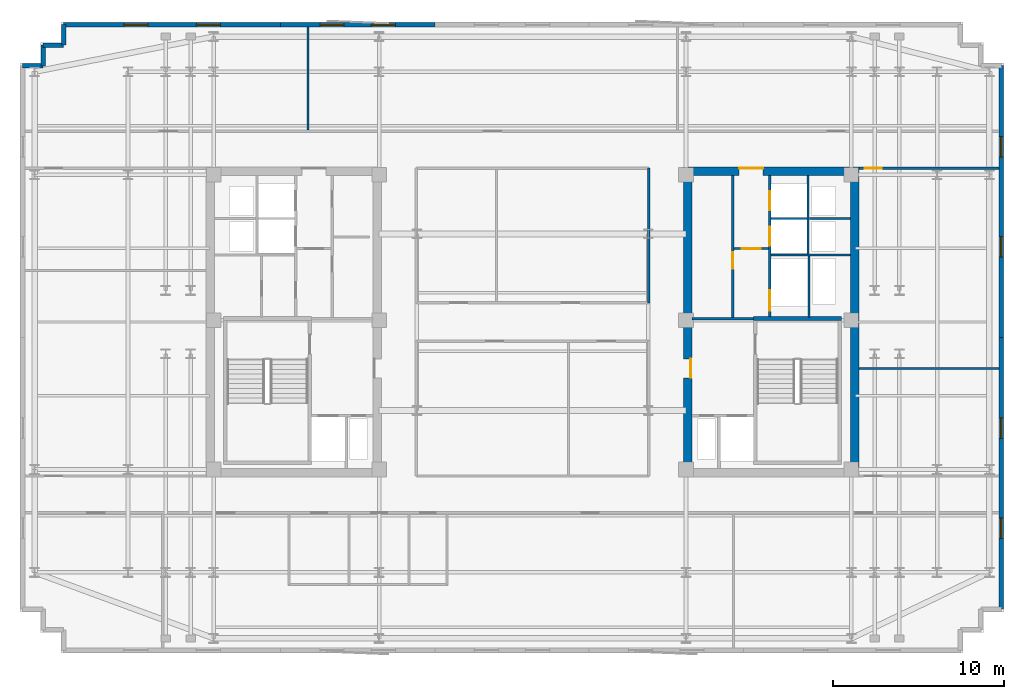
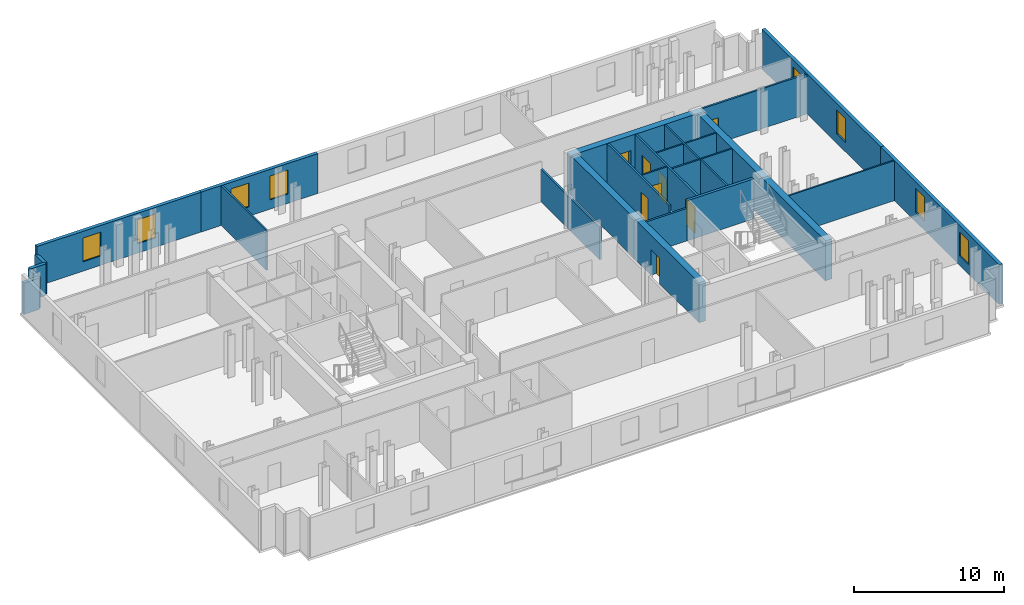
# One storey, part 6 of 9: 25 walls, 8 doors, 8 windows, 16 openings.
"""IFC4 building model written with IfcOpenShell, lengths in metres."""

from ifc_helpers import new_model, si_unit, direction, frame, frame_2d, origin, place, context, subcontext, project, spatial, rectangle, extrude, material, layer, layer_set, type_object, element, fill, save


model = new_model("IFC4")

# Units and contexts
model_context = context("Model", 3, precision=1e-05, world=origin(), true_north=direction((0.0, 1.0)))
body_context = subcontext(model_context, "Body", "Model", "MODEL_VIEW")
ifc_project = project(units=[si_unit("LENGTHUNIT", "METRE"), si_unit("AREAUNIT", "SQUARE_METRE"), si_unit("VOLUMEUNIT", "CUBIC_METRE"), si_unit("PLANEANGLEUNIT", "RADIAN"), si_unit("MASSUNIT", "GRAM", prefix="KILO")], contexts=[model_context])

# Site, building, storey
site_placement = place(None, origin())
site = spatial("IfcSite", under=ifc_project, at=site_placement, CompositionType="ELEMENT")
building_placement = place(site_placement, origin())
building = spatial("IfcBuilding", under=site, at=building_placement, Name="Velakula Bourse", CompositionType="ELEMENT")
storey_placement = place(building_placement, frame((0.0, 0.0, 211.949951171875)))
storey = spatial("IfcBuildingStorey", under=building, at=storey_placement, Name="L57", CompositionType="ELEMENT", Elevation=211.949951171875)

# Wall
ifc_material_1 = material(Name="Concrete M50 (fck 50 MPa)", Category="concrete")
ifc_layer_1 = layer(ifc_material_1, 0.2099609375, Name="Concrete M50 (fck 50 MPa)", Category="concrete")
ifc_layer_set_1 = layer_set([ifc_layer_1], Name="Concrete M50 (fck 50 MPa)")
wall_type_1 = type_object("IfcWallType", Name="WL-CORE-210", PredefinedType="SHEAR", material=ifc_layer_set_1)
wall_1_placement = place(storey_placement, frame((18.030029296875, 0.205078125, 0.0), z_axis=(0.0, 0.0, 1.0), x_axis=(-1.0, 0.0, 0.0)))
element("IfcWall", 1, at=wall_1_placement, inside=storey, type_object=wall_type_1, Name="L57 Core E Stairwell Shear Wall N", PredefinedType="SHEAR", context=body_context, shape_type="SweptSolid", body=[
    extrude(rectangle(XDim=5.14013671875, YDim=0.2099609375, at=frame_2d((2.570068359375, 0.0))), origin(), (0.0, 0.0, 1.0), 3.27001953125),
])

# Wall, opening, door
ifc_layer_2 = layer(ifc_material_1, 0.5, Name="Concrete M50 (fck 50 MPa)", Category="concrete")
ifc_layer_set_2 = layer_set([ifc_layer_2], Name="Concrete M50 (fck 50 MPa)")
wall_type_2 = type_object("IfcWallType", Name="WL-CORE-500", PredefinedType="SHEAR", material=ifc_layer_set_2)
wall_2_placement = place(storey_placement, frame((8.800048828125, 8.800048828125, 0.0), z_axis=(0.0, 0.0, 1.0), x_axis=(1.0, 0.0, 0.0)))
wall_2 = element("IfcWall", 2, at=wall_2_placement, inside=storey, type_object=wall_type_2, Name="L57 Core E Shear Wall N", PredefinedType="SHEAR", context=body_context, shape_type="SweptSolid", body=[
    extrude(rectangle(XDim=10.25, YDim=0.5, at=frame_2d((5.125, 0.0))), origin(), (0.0, 0.0, 1.0), 3.27001953125),
])
opening_1_placement = place(wall_2_placement, frame((3.25, 0.0, 0.0)))
opening_1 = element("IfcOpeningElement", 3, at=opening_1_placement, cuts=wall_2, Name="Opening D-LLE", PredefinedType="OPENING", context=body_context, shape_type="SweptSolid", body=[
    extrude(rectangle(XDim=1.39990234375, YDim=2.050048828125, at=frame_2d((0.699951171875, 1.02490234375))), frame((0.0, 0.260009765625, 0.0), z_axis=(0.0, -1.0, 0.0), x_axis=(1.0, 0.0, 0.0)), (0.0, 0.0, 1.0), 0.52001953125),
])
ifc_material_2 = material(Name="Fire-rated hardwood flush architectural door", Category="wood")
door_type_1 = type_object("IfcDoorType", Name="DR-DBL-FD60-1400", OperationType="DOUBLE_DOOR_SINGLE_SWING", PredefinedType="DOOR", material=ifc_material_2)
door_1_placement = place(opening_1_placement, origin())
door_1 = element("IfcDoor", 4, at=door_1_placement, inside=storey, type_object=door_type_1, Name="L57 Core E Lift Lobby Corridor Double Door", OperationType="DOUBLE_DOOR_SINGLE_SWING", OverallHeight=2.050048828125, OverallWidth=1.39990234375, PredefinedType="DOOR", context=body_context, shape_type="SweptSolid", body=[
    extrude(rectangle(XDim=1.39990234375, YDim=2.050048828125, at=frame_2d((0.699951171875, 1.02490234375))), frame((0.0, 0.19482421875, 0.0), z_axis=(0.0, -1.0, 0.0), x_axis=(1.0, 0.0, 0.0)), (0.0, 0.0, 1.0), 0.050048828125),
])
fill(opening_1, door_1)

wall_3_placement = place(storey_placement, frame((9.050048828125, -8.550048828125, 0.0), z_axis=(0.0, 0.0, 1.0), x_axis=(0.0, 1.0, 0.0)))
wall_3 = element("IfcWall", 5, at=wall_3_placement, inside=storey, type_object=wall_type_2, Name="L57 Core E Shear Wall W", PredefinedType="SHEAR", context=body_context, shape_type="SweptSolid", body=[
    extrude(rectangle(XDim=17.10009765625, YDim=0.5, at=frame_2d((8.550048828125, 0.0))), origin(), (0.0, 0.0, 1.0), 3.27001953125),
])
opening_2_placement = place(wall_3_placement, frame((5.300048828125, 0.0, 0.0)))
opening_2 = element("IfcOpeningElement", 6, at=opening_2_placement, cuts=wall_3, Name="Opening D-FLE", PredefinedType="OPENING", context=body_context, shape_type="SweptSolid", body=[
    extrude(rectangle(XDim=1.10009765625, YDim=2.080078125, at=frame_2d((0.550048828125, 1.0400390625))), frame((0.0, 0.260009765625, 0.0), z_axis=(0.0, -1.0, 0.0), x_axis=(1.0, 0.0, 0.0)), (0.0, 0.0, 1.0), 0.52001953125),
])
ifc_material_3 = material(Name="Galvanised painted hollow steel fire door", Category="steel")
door_type_2 = type_object("IfcDoorType", Name="DR-FD120-1100", OperationType="NOTDEFINED", PredefinedType="DOOR", material=ifc_material_3)
door_2_placement = place(opening_2_placement, origin())
door_2 = element("IfcDoor", 7, at=door_2_placement, inside=storey, type_object=door_type_2, Name="L57 Firefighting Lobby E Corridor Fire Door", OperationType="SINGLE_SWING_RIGHT", OverallHeight=2.080078125, OverallWidth=1.10009765625, PredefinedType="DOOR", context=body_context, shape_type="SweptSolid", body=[
    extrude(rectangle(XDim=1.10009765625, YDim=2.080078125, at=frame_2d((0.550048828125, 1.0400390625))), frame((0.0, -0.15478515625, 0.0), z_axis=(0.0, -1.0, 0.0), x_axis=(1.0, 0.0, 0.0)), (0.0, 0.0, 1.0), 0.050048828125),
])
fill(opening_2, door_2)

# Wall
wall_4_placement = place(storey_placement, frame((18.800048828125, -8.550048828125, 0.0), z_axis=(0.0, 0.0, 1.0), x_axis=(0.0, 1.0, 0.0)))
element("IfcWall", 8, at=wall_4_placement, inside=storey, type_object=wall_type_2, Name="L57 Core E Shear Wall E", PredefinedType="SHEAR", context=body_context, shape_type="SweptSolid", body=[
    extrude(rectangle(XDim=17.10009765625, YDim=0.5, at=frame_2d((8.550048828125, 0.0))), origin(), (0.0, 0.0, 1.0), 3.27001953125),
])

# Wall, openings, windows
ifc_material_4 = material(Name="Buff kilned clay facing brick masonry", Category="masonry")
ifc_layer_3 = layer(ifc_material_4, 0.260009765625, Name="Buff kilned clay facing brick masonry", Category="masonry")
ifc_layer_set_3 = layer_set([ifc_layer_3], Name="Buff kilned clay facing brick masonry")
wall_type_3 = type_object("IfcWallType", Name="WL-EXT-BRK-260", PredefinedType="STANDARD", material=ifc_layer_set_3)
wall_5_placement = place(storey_placement, frame((-27.35009765625, 17.35009765625, 0.0), z_axis=(0.0, 0.0, 1.0), x_axis=(1.0, 0.0, 0.0)))
wall_5 = element("IfcWall", 9, at=wall_5_placement, inside=storey, type_object=wall_type_3, Name="L57 N Brick Spandrel Wall B1", PredefinedType="STANDARD", context=body_context, shape_type="SweptSolid", body=[
    extrude(rectangle(XDim=12.650146484375, YDim=0.260009765625, at=frame_2d((6.3251953125, 0.0))), origin(), (0.0, 0.0, 1.0), 3.25),
])
opening_3_placement = place(wall_5_placement, frame((3.5166015625, 0.0, 0.760009765625)))
opening_3 = element("IfcOpeningElement", 10, at=opening_3_placement, cuts=wall_5, Name="Opening W-03", PredefinedType="OPENING", context=body_context, shape_type="SweptSolid", body=[
    extrude(rectangle(XDim=1.39990234375, YDim=1.949951171875, at=frame_2d((0.699951171875, 0.97509765625))), frame((0.0, 0.139892578125, 0.0), z_axis=(0.0, -1.0, 0.0), x_axis=(1.0, 0.0, 0.0)), (0.0, 0.0, 1.0), 0.280029296875),
])
opening_4_placement = place(wall_5_placement, frame((7.7333984375, 0.0, 0.760009765625)))
opening_4 = element("IfcOpeningElement", 11, at=opening_4_placement, cuts=wall_5, Name="Opening W-03", PredefinedType="OPENING", context=body_context, shape_type="SweptSolid", body=[
    extrude(rectangle(XDim=1.39990234375, YDim=1.949951171875, at=frame_2d((0.699951171875, 0.97509765625))), frame((0.0, 0.139892578125, 0.0), z_axis=(0.0, -1.0, 0.0), x_axis=(1.0, 0.0, 0.0)), (0.0, 0.0, 1.0), 0.280029296875),
])
ifc_material_5 = material(Name="Double-glazed solar-control Low-E glass", Category="glass")
window_type_1 = type_object("IfcWindowType", Name="WIN-TWR-1400x2100", PartitioningType="SINGLE_PANEL", PredefinedType="WINDOW", material=ifc_material_5)
window_1_placement = place(opening_3_placement, origin())
window_1 = element("IfcWindow", 12, at=window_1_placement, inside=storey, type_object=window_type_1, Name="L57 Deep-Set Recessed Window 1", OverallHeight=1.949951171875, OverallWidth=1.39990234375, PartitioningType="SINGLE_PANEL", PredefinedType="WINDOW", context=body_context, shape_type="SweptSolid", body=[
    extrude(rectangle(XDim=1.39990234375, YDim=1.949951171875, at=frame_2d((0.699951171875, 0.97509765625))), frame((0.0, 0.030029296875, 0.0), z_axis=(0.0, -1.0, 0.0), x_axis=(1.0, 0.0, 0.0)), (0.0, 0.0, 1.0), 0.06005859375),
])
fill(opening_3, window_1)
window_2_placement = place(opening_4_placement, origin())
window_2 = element("IfcWindow", 13, at=window_2_placement, inside=storey, type_object=window_type_1, Name="L57 Deep-Set Recessed Window 2", OverallHeight=1.949951171875, OverallWidth=1.39990234375, PartitioningType="SINGLE_PANEL", PredefinedType="WINDOW", context=body_context, shape_type="SweptSolid", body=[
    extrude(rectangle(XDim=1.39990234375, YDim=1.949951171875, at=frame_2d((0.699951171875, 0.97509765625))), frame((0.0, 0.030029296875, 0.0), z_axis=(0.0, -1.0, 0.0), x_axis=(1.0, 0.0, 0.0)), (0.0, 0.0, 1.0), 0.06005859375),
])
fill(opening_4, window_2)

wall_6_placement = place(storey_placement, frame((-14.699951171875, 17.35009765625, 0.0), z_axis=(0.0, 0.0, 1.0), x_axis=(1.0, 0.0, 0.0)))
wall_6 = element("IfcWall", 14, at=wall_6_placement, inside=storey, type_object=wall_type_3, Name="L57 N Brick Spandrel Wall B2", PredefinedType="STANDARD", context=body_context, shape_type="SweptSolid", body=[
    extrude(rectangle(XDim=9.0, YDim=0.260009765625, at=frame_2d((4.5, 0.0))), origin(), (0.0, 0.0, 1.0), 3.25),
])
opening_5_placement = place(wall_6_placement, frame((2.300048828125, 0.0, 0.760009765625)))
opening_5 = element("IfcOpeningElement", 15, at=opening_5_placement, cuts=wall_6, Name="Opening W-03", PredefinedType="OPENING", context=body_context, shape_type="SweptSolid", body=[
    extrude(rectangle(XDim=1.39990234375, YDim=1.949951171875, at=frame_2d((0.699951171875, 0.97509765625))), frame((0.0, 0.139892578125, 0.0), z_axis=(0.0, -1.0, 0.0), x_axis=(1.0, 0.0, 0.0)), (0.0, 0.0, 1.0), 0.280029296875),
])
opening_6_placement = place(wall_6_placement, frame((5.300048828125, 0.0, 0.760009765625)))
opening_6 = element("IfcOpeningElement", 16, at=opening_6_placement, cuts=wall_6, Name="Opening W-03", PredefinedType="OPENING", context=body_context, shape_type="SweptSolid", body=[
    extrude(rectangle(XDim=1.39990234375, YDim=1.949951171875, at=frame_2d((0.699951171875, 0.97509765625))), frame((0.0, 0.139892578125, 0.0), z_axis=(0.0, -1.0, 0.0), x_axis=(1.0, 0.0, 0.0)), (0.0, 0.0, 1.0), 0.280029296875),
])
window_3_placement = place(opening_5_placement, origin())
window_3 = element("IfcWindow", 17, at=window_3_placement, inside=storey, type_object=window_type_1, Name="L57 Deep-Set Recessed Window 1", OverallHeight=1.949951171875, OverallWidth=1.39990234375, PartitioningType="SINGLE_PANEL", PredefinedType="WINDOW", context=body_context, shape_type="SweptSolid", body=[
    extrude(rectangle(XDim=1.39990234375, YDim=1.949951171875, at=frame_2d((0.699951171875, 0.97509765625))), frame((0.0, 0.030029296875, 0.0), z_axis=(0.0, -1.0, 0.0), x_axis=(1.0, 0.0, 0.0)), (0.0, 0.0, 1.0), 0.06005859375),
])
fill(opening_5, window_3)
window_4_placement = place(opening_6_placement, origin())
window_4 = element("IfcWindow", 18, at=window_4_placement, inside=storey, type_object=window_type_1, Name="L57 Deep-Set Recessed Window 2", OverallHeight=1.949951171875, OverallWidth=1.39990234375, PartitioningType="SINGLE_PANEL", PredefinedType="WINDOW", context=body_context, shape_type="SweptSolid", body=[
    extrude(rectangle(XDim=1.39990234375, YDim=1.949951171875, at=frame_2d((0.699951171875, 0.97509765625))), frame((0.0, 0.030029296875, 0.0), z_axis=(0.0, -1.0, 0.0), x_axis=(1.0, 0.0, 0.0)), (0.0, 0.0, 1.0), 0.06005859375),
])
fill(opening_6, window_4)

wall_7_placement = place(storey_placement, frame((27.35009765625, -0.89990234375, 0.0), z_axis=(0.0, 0.0, 1.0), x_axis=(0.0, -1.0, 0.0)))
wall_7 = element("IfcWall", 19, at=wall_7_placement, inside=storey, type_object=wall_type_3, Name="L57 E Brick End Wall W1", PredefinedType="STANDARD", context=body_context, shape_type="SweptSolid", body=[
    extrude(rectangle(XDim=15.85009765625, YDim=0.260009765625, at=frame_2d((7.925048828125, 0.0))), origin(), (0.0, 0.0, 1.0), 3.25),
])
opening_7_placement = place(wall_7_placement, frame((4.683349609375, 0.0, 0.760009765625)))
opening_7 = element("IfcOpeningElement", 20, at=opening_7_placement, cuts=wall_7, Name="Opening W-04", PredefinedType="OPENING", context=body_context, shape_type="SweptSolid", body=[
    extrude(rectangle(XDim=1.199951171875, YDim=1.949951171875, at=frame_2d((0.60009765625, 0.97509765625))), frame((0.0, 0.139892578125, 0.0), z_axis=(0.0, -1.0, 0.0), x_axis=(1.0, 0.0, 0.0)), (0.0, 0.0, 1.0), 0.280029296875),
])
opening_8_placement = place(wall_7_placement, frame((10.5166015625, 0.0, 0.760009765625)))
opening_8 = element("IfcOpeningElement", 21, at=opening_8_placement, cuts=wall_7, Name="Opening W-04", PredefinedType="OPENING", context=body_context, shape_type="SweptSolid", body=[
    extrude(rectangle(XDim=1.199951171875, YDim=1.949951171875, at=frame_2d((0.60009765625, 0.97509765625))), frame((0.0, 0.139892578125, 0.0), z_axis=(0.0, -1.0, 0.0), x_axis=(1.0, 0.0, 0.0)), (0.0, 0.0, 1.0), 0.280029296875),
])
window_type_2 = type_object("IfcWindowType", Name="WIN-TWR-1200x2100", PartitioningType="SINGLE_PANEL", PredefinedType="WINDOW", material=ifc_material_5)
window_5_placement = place(opening_7_placement, origin())
window_5 = element("IfcWindow", 22, at=window_5_placement, inside=storey, type_object=window_type_2, Name="L57 Deep-Set Recessed Window 1", OverallHeight=1.949951171875, OverallWidth=1.199951171875, PartitioningType="SINGLE_PANEL", PredefinedType="WINDOW", context=body_context, shape_type="SweptSolid", body=[
    extrude(rectangle(XDim=1.199951171875, YDim=1.949951171875, at=frame_2d((0.60009765625, 0.97509765625))), frame((0.0, 0.030029296875, 0.0), z_axis=(0.0, -1.0, 0.0), x_axis=(1.0, 0.0, 0.0)), (0.0, 0.0, 1.0), 0.06005859375),
])
fill(opening_7, window_5)
window_6_placement = place(opening_8_placement, origin())
window_6 = element("IfcWindow", 23, at=window_6_placement, inside=storey, type_object=window_type_2, Name="L57 Deep-Set Recessed Window 2", OverallHeight=1.949951171875, OverallWidth=1.199951171875, PartitioningType="SINGLE_PANEL", PredefinedType="WINDOW", context=body_context, shape_type="SweptSolid", body=[
    extrude(rectangle(XDim=1.199951171875, YDim=1.949951171875, at=frame_2d((0.60009765625, 0.97509765625))), frame((0.0, 0.030029296875, 0.0), z_axis=(0.0, -1.0, 0.0), x_axis=(1.0, 0.0, 0.0)), (0.0, 0.0, 1.0), 0.06005859375),
])
fill(opening_8, window_6)

wall_8_placement = place(storey_placement, frame((27.35009765625, 14.949951171875, 0.0), z_axis=(0.0, 0.0, 1.0), x_axis=(0.0, -1.0, 0.0)))
wall_8 = element("IfcWall", 24, at=wall_8_placement, inside=storey, type_object=wall_type_3, Name="L57 E Brick End Wall W2", PredefinedType="STANDARD", context=body_context, shape_type="SweptSolid", body=[
    extrude(rectangle(XDim=15.849853515625, YDim=0.260009765625, at=frame_2d((7.9248046875, 0.0))), origin(), (0.0, 0.0, 1.0), 3.25),
])
opening_9_placement = place(wall_8_placement, frame((4.13330078125, 0.0, 0.760009765625)))
opening_9 = element("IfcOpeningElement", 25, at=opening_9_placement, cuts=wall_8, Name="Opening W-04", PredefinedType="OPENING", context=body_context, shape_type="SweptSolid", body=[
    extrude(rectangle(XDim=1.199951171875, YDim=1.949951171875, at=frame_2d((0.60009765625, 0.97509765625))), frame((0.0, 0.139892578125, 0.0), z_axis=(0.0, -1.0, 0.0), x_axis=(1.0, 0.0, 0.0)), (0.0, 0.0, 1.0), 0.280029296875),
])
opening_10_placement = place(wall_8_placement, frame((9.966796875, 0.0, 0.760009765625)))
opening_10 = element("IfcOpeningElement", 26, at=opening_10_placement, cuts=wall_8, Name="Opening W-04", PredefinedType="OPENING", context=body_context, shape_type="SweptSolid", body=[
    extrude(rectangle(XDim=1.199951171875, YDim=1.949951171875, at=frame_2d((0.60009765625, 0.97509765625))), frame((0.0, 0.139892578125, 0.0), z_axis=(0.0, -1.0, 0.0), x_axis=(1.0, 0.0, 0.0)), (0.0, 0.0, 1.0), 0.280029296875),
])
window_7_placement = place(opening_9_placement, origin())
window_7 = element("IfcWindow", 27, at=window_7_placement, inside=storey, type_object=window_type_2, Name="L57 Deep-Set Recessed Window 1", OverallHeight=1.949951171875, OverallWidth=1.199951171875, PartitioningType="SINGLE_PANEL", PredefinedType="WINDOW", context=body_context, shape_type="SweptSolid", body=[
    extrude(rectangle(XDim=1.199951171875, YDim=1.949951171875, at=frame_2d((0.60009765625, 0.97509765625))), frame((0.0, 0.030029296875, 0.0), z_axis=(0.0, -1.0, 0.0), x_axis=(1.0, 0.0, 0.0)), (0.0, 0.0, 1.0), 0.06005859375),
])
fill(opening_9, window_7)
window_8_placement = place(opening_10_placement, origin())
window_8 = element("IfcWindow", 28, at=window_8_placement, inside=storey, type_object=window_type_2, Name="L57 Deep-Set Recessed Window 2", OverallHeight=1.949951171875, OverallWidth=1.199951171875, PartitioningType="SINGLE_PANEL", PredefinedType="WINDOW", context=body_context, shape_type="SweptSolid", body=[
    extrude(rectangle(XDim=1.199951171875, YDim=1.949951171875, at=frame_2d((0.60009765625, 0.97509765625))), frame((0.0, 0.030029296875, 0.0), z_axis=(0.0, -1.0, 0.0), x_axis=(1.0, 0.0, 0.0)), (0.0, 0.0, 1.0), 0.06005859375),
])
fill(opening_10, window_8)

# Walls
wall_9_placement = place(storey_placement, frame((-27.35009765625, 17.35009765625, 0.0), z_axis=(0.0, 0.0, 1.0), x_axis=(0.0, -1.0, 0.0)))
element("IfcWall", 29, at=wall_9_placement, inside=storey, type_object=wall_type_3, Name="L57 Serrated Corner Brick Wall NW-1", PredefinedType="STANDARD", context=body_context, shape_type="SweptSolid", body=[
    extrude(rectangle(XDim=1.2001953125, YDim=0.260009765625, at=frame_2d((0.60009765625, 0.0))), origin(), (0.0, 0.0, 1.0), 2.56494140625),
])
for number, where, z_axis, x_axis, name in (
    (30, (-27.35009765625, 16.14990234375, 0.0), (0.0, 0.0, 1.0), (-1.0, 0.0, 0.0), "L57 Serrated Corner Brick Wall NW-2"),
    (31, (-28.550048828125, 16.14990234375, 0.0), (0.0, 0.0, 1.0), (0.0, -1.0, 0.0), "L57 Serrated Corner Brick Wall NW-3"),
    (32, (-28.550048828125, 14.949951171875, 0.0), (0.0, 0.0, 1.0), (-1.0, 0.0, 0.0), "L57 Serrated Corner Brick Wall NW-4"),
):
    element("IfcWall", number, at=place(storey_placement, frame(where, z_axis=z_axis, x_axis=x_axis)), inside=storey, type_object=wall_type_3, Name=name, PredefinedType="STANDARD", context=body_context, shape_type="SweptSolid", body=[
        extrude(rectangle(XDim=1.199951171875, YDim=0.260009765625, at=frame_2d((0.60009765625, 0.0))), origin(), (0.0, 0.0, 1.0), 2.56494140625),
    ])

# Wall, opening, door
ifc_material_6 = material(Name="Fire-rated double-layer gypsum drywall partition", Category="gypsum")
ifc_layer_4 = layer(ifc_material_6, 0.1201171875, Name="Fire-rated double-layer gypsum drywall partition", Category="gypsum")
ifc_layer_set_4 = layer_set([ifc_layer_4], Name="Fire-rated double-layer gypsum drywall partition")
wall_type_4 = type_object("IfcWallType", Name="WL-PART-120", PredefinedType="STANDARD", material=ifc_layer_set_4)
wall_10_placement = place(storey_placement, frame((11.75, 4.280029296875, 0.0), z_axis=(0.0, 0.0, 1.0), x_axis=(1.0, 0.0, 0.0)))
wall_10 = element("IfcWall", 33, at=wall_10_placement, inside=storey, type_object=wall_type_4, Name="L57 Interior Partition WL-CRE-L57-LL-K2", PredefinedType="STANDARD", context=body_context, shape_type="SweptSolid", body=[
    extrude(rectangle(XDim=2.0, YDim=0.1201171875, at=frame_2d((1.0, 0.0))), origin(), (0.0, 0.0, 1.0), 3.25),
])
opening_11_placement = place(wall_10_placement, frame((0.449951171875, 0.0, 0.0)))
opening_11 = element("IfcOpeningElement", 34, at=opening_11_placement, cuts=wall_10, Name="Opening D-LK2", PredefinedType="OPENING", context=body_context, shape_type="SweptSolid", body=[
    extrude(rectangle(XDim=1.10009765625, YDim=2.10009765625, at=frame_2d((0.550048828125, 1.050048828125))), frame((0.0, 0.070068359375, 0.0), z_axis=(0.0, -1.0, 0.0), x_axis=(1.0, 0.0, 0.0)), (0.0, 0.0, 1.0), 0.14013671875),
])
door_type_3 = type_object("IfcDoorType", Name="DR-FD60-1100x2100", OperationType="NOTDEFINED", PredefinedType="DOOR", material=ifc_material_2)
door_3_placement = place(opening_11_placement, origin())
door_3 = element("IfcDoor", 35, at=door_3_placement, inside=storey, type_object=door_type_3, Name="L57 Core E Lift Lobby Zone Door", OperationType="SINGLE_SWING_LEFT", OverallHeight=2.10009765625, OverallWidth=1.10009765625, PredefinedType="DOOR", context=body_context, shape_type="SweptSolid", body=[
    extrude(rectangle(XDim=1.10009765625, YDim=2.10009765625, at=frame_2d((0.550048828125, 1.050048828125))), frame((0.0, 0.02490234375, 0.0), z_axis=(0.0, -1.0, 0.0), x_axis=(1.0, 0.0, 0.0)), (0.0, 0.0, 1.0), 0.050048828125),
])
fill(opening_11, door_3)

# Walls
wall_11_placement = place(storey_placement, frame((13.89990234375, 3.919921875, 0.0), z_axis=(0.0, 0.0, 1.0), x_axis=(1.0, 0.0, 0.0)))
element("IfcWall", 36, at=wall_11_placement, inside=storey, type_object=wall_type_4, Name="L57 Interior Partition WL-CRE-L57-HI-S", PredefinedType="STANDARD", context=body_context, shape_type="SweptSolid", body=[
    extrude(rectangle(XDim=4.650146484375, YDim=0.1201171875, at=frame_2d((2.3251953125, 0.0))), origin(), (0.0, 0.0, 1.0), 3.25),
])
wall_12_placement = place(storey_placement, frame((16.14990234375, 6.030029296875, 0.0), z_axis=(0.0, 0.0, 1.0), x_axis=(1.0, 0.0, 0.0)))
element("IfcWall", 37, at=wall_12_placement, inside=storey, type_object=wall_type_4, Name="L57 Interior Partition WL-CRE-L57-RIS-MID", PredefinedType="STANDARD", context=body_context, shape_type="SweptSolid", body=[
    extrude(rectangle(XDim=2.400146484375, YDim=0.1201171875, at=frame_2d((1.2001953125, 0.0))), origin(), (0.0, 0.0, 1.0), 3.25),
])
wall_13_placement = place(storey_placement, frame((16.074951171875, 3.97998046875, 0.0), z_axis=(0.0, 0.0, 1.0), x_axis=(0.0, 1.0, 0.0)))
element("IfcWall", 38, at=wall_13_placement, inside=storey, type_object=wall_type_4, Name="L57 Interior Partition WL-CRE-L57-RIS-F", PredefinedType="STANDARD", context=body_context, shape_type="SweptSolid", body=[
    extrude(rectangle(XDim=4.570068359375, YDim=0.1201171875, at=frame_2d((2.28515625, 0.0))), origin(), (0.0, 0.0, 1.0), 3.25),
])
wall_14_placement = place(storey_placement, frame((13.89990234375, 6.030029296875, 0.0), z_axis=(0.0, 0.0, 1.0), x_axis=(1.0, 0.0, 0.0)))
element("IfcWall", 39, at=wall_14_placement, inside=storey, type_object=wall_type_4, Name="L57 Interior Partition WL-CRE-L57-HI-DIV", PredefinedType="STANDARD", context=body_context, shape_type="SweptSolid", body=[
    extrude(rectangle(XDim=2.10009765625, YDim=0.1201171875, at=frame_2d((1.050048828125, 0.0))), origin(), (0.0, 0.0, 1.0), 3.25),
])
wall_15_placement = place(storey_placement, frame((16.125, 0.27001953125, 0.0), z_axis=(0.0, 0.0, 1.0), x_axis=(0.0, 1.0, 0.0)))
element("IfcWall", 40, at=wall_15_placement, inside=storey, type_object=wall_type_4, Name="L57 Interior Partition WL-CRE-L57-SVL-E", PredefinedType="STANDARD", context=body_context, shape_type="SweptSolid", body=[
    extrude(rectangle(XDim=3.590087890625, YDim=0.1201171875, at=frame_2d((1.794921875, 0.0))), origin(), (0.0, 0.0, 1.0), 3.25),
])
wall_16_placement = place(storey_placement, frame((-13.111083984375, 11.18994140625, 0.0), z_axis=(0.0, 0.0, 1.0), x_axis=(0.0, 1.0, 0.0)))
element("IfcWall", 41, at=wall_16_placement, inside=storey, type_object=wall_type_4, Name="L57 Interior Partition WL-INT-L57-N-D1", PredefinedType="STANDARD", context=body_context, shape_type="SweptSolid", body=[
    extrude(rectangle(XDim=6.030029296875, YDim=0.1201171875, at=frame_2d((3.01513671875, 0.0))), origin(), (0.0, 0.0, 1.0), 3.25),
])
wall_17_placement = place(storey_placement, frame((19.050048828125, -2.699951171875, 0.0), z_axis=(0.0, 0.0, 1.0), x_axis=(1.0, 0.0, 0.0)))
element("IfcWall", 42, at=wall_17_placement, inside=storey, type_object=wall_type_4, Name="L57 Interior Partition WL-INT-L57-E-H", PredefinedType="STANDARD", context=body_context, shape_type="SweptSolid", body=[
    extrude(rectangle(XDim=8.169921875, YDim=0.1201171875, at=frame_2d((4.0849609375, 0.0))), origin(), (0.0, 0.0, 1.0), 3.25),
])

# Wall, opening, door
ifc_layer_5 = layer(ifc_material_6, 0.139892578125, Name="Fire-rated double-layer gypsum drywall partition", Category="gypsum")
ifc_layer_set_5 = layer_set([ifc_layer_5], Name="Fire-rated double-layer gypsum drywall partition")
wall_type_5 = type_object("IfcWallType", Name="WL-PART-140", PredefinedType="STANDARD", material=ifc_layer_set_5)
wall_18_placement = place(storey_placement, frame((19.050048828125, 8.97998046875, 0.0), z_axis=(0.0, 0.0, 1.0), x_axis=(1.0, 0.0, 0.0)))
wall_18 = element("IfcWall", 43, at=wall_18_placement, inside=storey, type_object=wall_type_5, Name="L57 Interior Partition WL-INT-L57-E-NC", PredefinedType="STANDARD", context=body_context, shape_type="SweptSolid", body=[
    extrude(rectangle(XDim=8.169921875, YDim=0.139892578125, at=frame_2d((4.0849609375, 0.0))), origin(), (0.0, 0.0, 1.0), 3.25),
])
opening_12_placement = place(wall_18_placement, frame((0.320068359375, 0.0, 0.0)))
opening_12 = element("IfcOpeningElement", 44, at=opening_12_placement, cuts=wall_18, Name="Opening D-OF1", PredefinedType="OPENING", context=body_context, shape_type="SweptSolid", body=[
    extrude(rectangle(XDim=1.0, YDim=2.080078125, at=frame_2d((0.5, 1.0400390625))), frame((0.0, 0.079833984375, 0.0), z_axis=(0.0, -1.0, 0.0), x_axis=(1.0, 0.0, 0.0)), (0.0, 0.0, 1.0), 0.159912109375),
])
door_type_4 = type_object("IfcDoorType", Name="DR-OFF-1000", OperationType="NOTDEFINED", PredefinedType="DOOR", material=ifc_material_2)
door_4_placement = place(opening_12_placement, origin())
door_4 = element("IfcDoor", 45, at=door_4_placement, inside=storey, type_object=door_type_4, Name="L57 Treasury Operations Office Door", OperationType="SINGLE_SWING_LEFT", OverallHeight=2.080078125, OverallWidth=1.0, PredefinedType="DOOR", context=body_context, shape_type="SweptSolid", body=[
    extrude(rectangle(XDim=1.0, YDim=2.080078125, at=frame_2d((0.5, 1.0400390625))), frame((0.0, 0.02490234375, 0.0), z_axis=(0.0, -1.0, 0.0), x_axis=(1.0, 0.0, 0.0)), (0.0, 0.0, 1.0), 0.050048828125),
])
fill(opening_12, door_4)

# Walls
wall_19_placement = place(storey_placement, frame((6.780029296875, 1.1201171875, 0.0), z_axis=(0.0, 0.0, 1.0), x_axis=(0.0, 1.0, 0.0)))
element("IfcWall", 46, at=wall_19_placement, inside=storey, type_object=wall_type_5, Name="L57 Interior Partition WL-INT-L57-MN-E", PredefinedType="STANDARD", context=body_context, shape_type="SweptSolid", body=[
    extrude(rectangle(XDim=7.85986328125, YDim=0.139892578125, at=frame_2d((3.929931640625, 0.0))), origin(), (0.0, 0.0, 1.0), 2.64501953125),
])
ifc_material_7 = material(Name="Autoclaved aerated concrete blockwork masonry", Category="masonry")
ifc_layer_6 = layer(ifc_material_7, 0.14990234375, Name="Autoclaved aerated concrete blockwork masonry", Category="masonry")
ifc_layer_set_6 = layer_set([ifc_layer_6], Name="Autoclaved aerated concrete blockwork masonry")
wall_type_6 = type_object("IfcWallType", Name="WL-SHAFT-150", PredefinedType="STANDARD", material=ifc_layer_set_6)
wall_20_placement = place(storey_placement, frame((9.300048828125, 0.18994140625, 0.0), z_axis=(0.0, 0.0, 1.0), x_axis=(1.0, 0.0, 0.0)))
element("IfcWall", 47, at=wall_20_placement, inside=storey, type_object=wall_type_6, Name="L57 Interior Partition WL-CRE-L57-FF-TOP", PredefinedType="STANDARD", context=body_context, shape_type="SweptSolid", body=[
    extrude(rectangle(XDim=3.58984375, YDim=0.14990234375, at=frame_2d((1.794921875, 0.0))), origin(), (0.0, 0.0, 1.0), 2.64501953125),
])

# Wall, opening, door
wall_21_placement = place(storey_placement, frame((11.675048828125, 0.27001953125, 0.0), z_axis=(0.0, 0.0, 1.0), x_axis=(0.0, 1.0, 0.0)))
wall_21 = element("IfcWall", 48, at=wall_21_placement, inside=storey, type_object=wall_type_6, Name="L57 Interior Partition WL-CRE-L57-BANK-F", PredefinedType="STANDARD", context=body_context, shape_type="SweptSolid", body=[
    extrude(rectangle(XDim=8.280029296875, YDim=0.14990234375, at=frame_2d((4.14013671875, 0.0))), origin(), (0.0, 0.0, 1.0), 3.25),
])
opening_13_placement = place(wall_21_placement, frame((2.85009765625, 0.0, 0.0)))
opening_13 = element("IfcOpeningElement", 49, at=opening_13_placement, cuts=wall_21, Name="Opening D-RC5", PredefinedType="OPENING", context=body_context, shape_type="SweptSolid", body=[
    extrude(rectangle(XDim=0.949951171875, YDim=2.050048828125, at=frame_2d((0.47509765625, 1.02490234375))), frame((0.0, 0.0849609375, 0.0), z_axis=(0.0, -1.0, 0.0), x_axis=(1.0, 0.0, 0.0)), (0.0, 0.0, 1.0), 0.169921875),
])
door_type_5 = type_object("IfcDoorType", Name="DR-FD60-950x2050", OperationType="NOTDEFINED", PredefinedType="DOOR", material=ifc_material_2)
door_5_placement = place(opening_13_placement, origin())
door_5 = element("IfcDoor", 50, at=door_5_placement, inside=storey, type_object=door_type_5, Name="L57 Reclaimed Multi-Bay Depository Room Door", OperationType="SINGLE_SWING_LEFT", OverallHeight=2.050048828125, OverallWidth=0.949951171875, PredefinedType="DOOR", context=body_context, shape_type="SweptSolid", body=[
    extrude(rectangle(XDim=0.949951171875, YDim=2.050048828125, at=frame_2d((0.47509765625, 1.02490234375))), frame((0.0, 0.02490234375, 0.0), z_axis=(0.0, -1.0, 0.0), x_axis=(1.0, 0.0, 0.0)), (0.0, 0.0, 1.0), 0.050048828125),
])
fill(opening_13, door_5)

# Wall, openings, doors
wall_22_placement = place(storey_placement, frame((13.824951171875, 0.27001953125, 0.0), z_axis=(0.0, 0.0, 1.0), x_axis=(0.0, 1.0, 0.0)))
wall_22 = element("IfcWall", 51, at=wall_22_placement, inside=storey, type_object=wall_type_6, Name="L57 Interior Partition WL-CRE-L57-OUT-F", PredefinedType="STANDARD", context=body_context, shape_type="SweptSolid", body=[
    extrude(rectangle(XDim=8.280029296875, YDim=0.14990234375, at=frame_2d((4.14013671875, 0.0))), origin(), (0.0, 0.0, 1.0), 3.25),
])
opening_14_placement = place(wall_22_placement, frame((4.175048828125, 0.0, 0.0)))
opening_14 = element("IfcOpeningElement", 52, at=opening_14_placement, cuts=wall_22, Name="Opening LD-P11", PredefinedType="OPENING", context=body_context, shape_type="SweptSolid", body=[
    extrude(rectangle(XDim=1.10009765625, YDim=2.10009765625, at=frame_2d((0.550048828125, 1.050048828125))), frame((0.0, 0.0849609375, 0.0), z_axis=(0.0, -1.0, 0.0), x_axis=(1.0, 0.0, 0.0)), (0.0, 0.0, 1.0), 0.169921875),
])
opening_15_placement = place(wall_22_placement, frame((6.2451171875, 0.0, 0.0)))
opening_15 = element("IfcOpeningElement", 53, at=opening_15_placement, cuts=wall_22, Name="Opening LD-P12", PredefinedType="OPENING", context=body_context, shape_type="SweptSolid", body=[
    extrude(rectangle(XDim=1.10009765625, YDim=2.10009765625, at=frame_2d((0.550048828125, 1.050048828125))), frame((0.0, 0.0849609375, 0.0), z_axis=(0.0, -1.0, 0.0), x_axis=(1.0, 0.0, 0.0)), (0.0, 0.0, 1.0), 0.169921875),
])
opening_16_placement = place(wall_22_placement, frame((0.3798828125, 0.0, 0.0)))
opening_16 = element("IfcOpeningElement", 54, at=opening_16_placement, cuts=wall_22, Name="Opening LD-SVL1", PredefinedType="OPENING", context=body_context, shape_type="SweptSolid", body=[
    extrude(rectangle(XDim=1.199951171875, YDim=2.10009765625, at=frame_2d((0.60009765625, 1.050048828125))), frame((0.0, 0.0849609375, 0.0), z_axis=(0.0, -1.0, 0.0), x_axis=(1.0, 0.0, 0.0)), (0.0, 0.0, 1.0), 0.169921875),
])
ifc_material_8 = material(Name="Brushed grade 316 stainless steel", Category="steel")
door_type_6 = type_object("IfcDoorType", Name="DR-SLIDE-LD-1100", OperationType="DOUBLE_DOOR_SLIDING", PredefinedType="DOOR", material=ifc_material_8)
door_6_placement = place(opening_14_placement, origin())
door_6 = element("IfcDoor", 55, at=door_6_placement, inside=storey, type_object=door_type_6, Name="L57 Passenger Lift P11 Sliding Landing Door", OperationType="DOUBLE_DOOR_SLIDING", OverallHeight=2.10009765625, OverallWidth=1.10009765625, PredefinedType="DOOR", context=body_context, shape_type="SweptSolid", body=[
    extrude(rectangle(XDim=1.10009765625, YDim=2.10009765625, at=frame_2d((0.550048828125, 1.050048828125))), frame((0.0, 0.02490234375, 0.0), z_axis=(0.0, -1.0, 0.0), x_axis=(1.0, 0.0, 0.0)), (0.0, 0.0, 1.0), 0.050048828125),
])
fill(opening_14, door_6)
door_7_placement = place(opening_15_placement, origin())
door_7 = element("IfcDoor", 56, at=door_7_placement, inside=storey, type_object=door_type_6, Name="L57 Passenger Lift P12 Sliding Landing Door", OperationType="DOUBLE_DOOR_SLIDING", OverallHeight=2.10009765625, OverallWidth=1.10009765625, PredefinedType="DOOR", context=body_context, shape_type="SweptSolid", body=[
    extrude(rectangle(XDim=1.10009765625, YDim=2.10009765625, at=frame_2d((0.550048828125, 1.050048828125))), frame((0.0, 0.02490234375, 0.0), z_axis=(0.0, -1.0, 0.0), x_axis=(1.0, 0.0, 0.0)), (0.0, 0.0, 1.0), 0.050048828125),
])
fill(opening_15, door_7)
door_type_7 = type_object("IfcDoorType", Name="DR-SLIDE-LD-1200", OperationType="DOUBLE_DOOR_SLIDING", PredefinedType="DOOR", material=ifc_material_8)
door_8_placement = place(opening_16_placement, origin())
door_8 = element("IfcDoor", 57, at=door_8_placement, inside=storey, type_object=door_type_7, Name="L57 Service Lift SVL-1 Sliding Landing Door", OperationType="DOUBLE_DOOR_SLIDING", OverallHeight=2.10009765625, OverallWidth=1.199951171875, PredefinedType="DOOR", context=body_context, shape_type="SweptSolid", body=[
    extrude(rectangle(XDim=1.199951171875, YDim=2.10009765625, at=frame_2d((0.60009765625, 1.050048828125))), frame((0.0, 0.02490234375, 0.0), z_axis=(0.0, -1.0, 0.0), x_axis=(1.0, 0.0, 0.0)), (0.0, 0.0, 1.0), 0.050048828125),
])
fill(opening_16, door_8)

save(model, "model.ifc")
